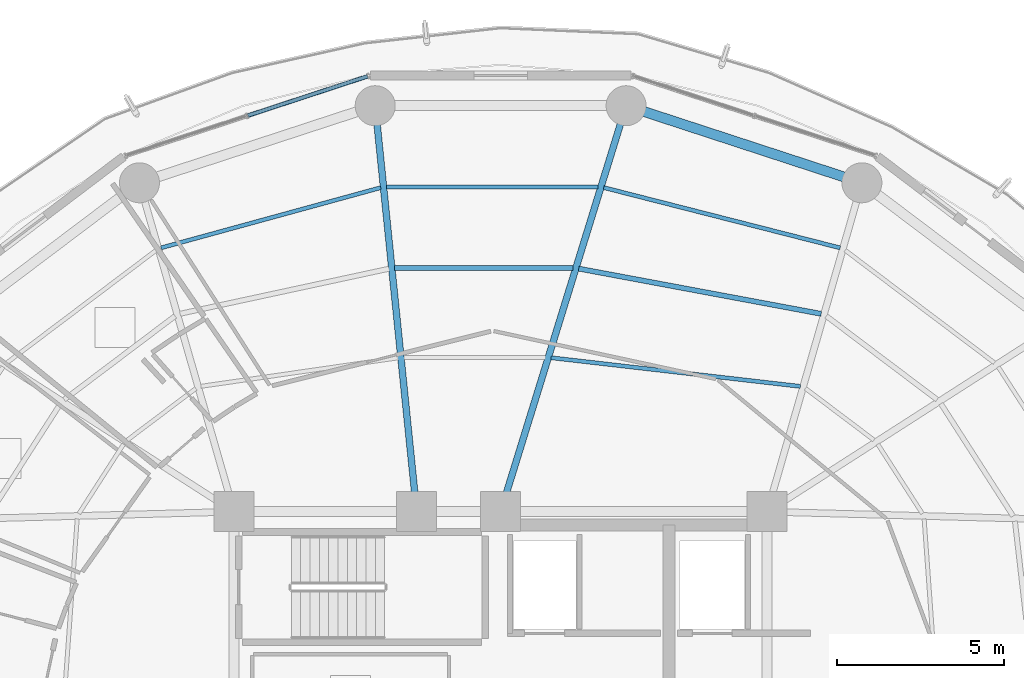
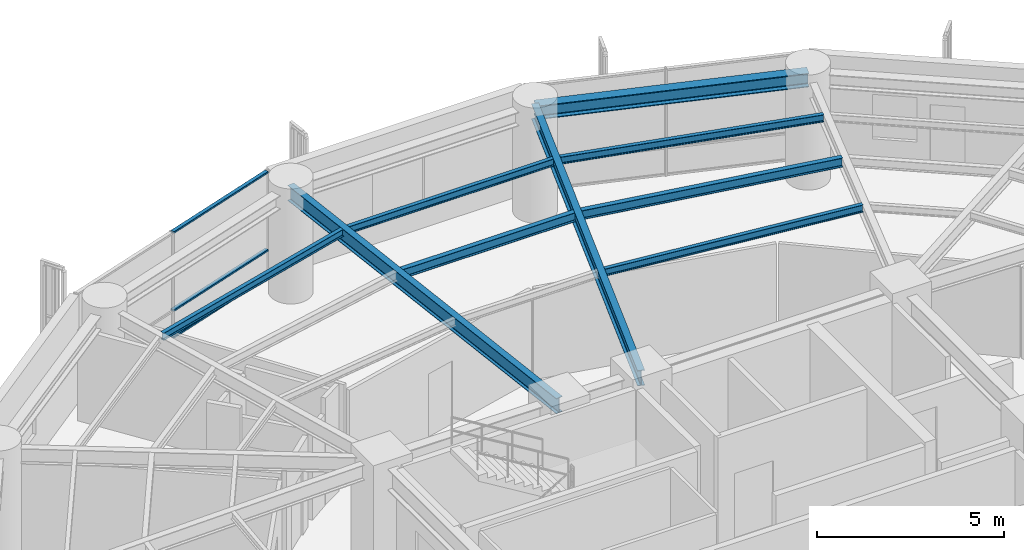
# One storey, part 18 of 28: 9 beams, 3 members, 1 element without a shape of its own.
"""IFC4 building model written with IfcOpenShell, lengths in metres."""

from ifc_helpers import new_model, si_unit, direction, frame, origin, origin_2d, place, context, subcontext, project, spatial, hollow_rectangle, i_section, extrude, material, layer, layer_set, material_profile, profile_set, type_object, element, aggregate, save


model = new_model("IFC4")

# Units and contexts
model_context = context("Model", 3, precision=1e-05, world=origin(), true_north=direction((0.0, 1.0)))
body_context = subcontext(model_context, "Body", "Model", "MODEL_VIEW")
ifc_project = project(units=[si_unit("LENGTHUNIT", "METRE"), si_unit("AREAUNIT", "SQUARE_METRE"), si_unit("VOLUMEUNIT", "CUBIC_METRE"), si_unit("PLANEANGLEUNIT", "RADIAN"), si_unit("MASSUNIT", "GRAM", prefix="KILO")], contexts=[model_context])

# Site, building, storey
site_placement = place(None, origin())
site = spatial("IfcSite", under=ifc_project, at=site_placement, CompositionType="ELEMENT")
building_placement = place(site_placement, origin())
building = spatial("IfcBuilding", under=site, at=building_placement, Name="Kelanora Arch Commons", CompositionType="ELEMENT")
storey_placement = place(building_placement, frame((0.0, 0.0, 158.10009765625)))
storey = spatial("IfcBuildingStorey", under=building, at=storey_placement, Name="L40", CompositionType="ELEMENT", Elevation=158.10009765625)

# Beams
ifc_material_1 = material(Name="Steel S355", Category="steel")
ifc_material_profile_1 = material_profile(ifc_material_1, i_section(OverallWidth=0.14990234375, OverallDepth=0.300048828125, WebThickness=0.007080078125, FlangeThickness=0.0107421875, FilletRadius=0.014892578125, at=origin_2d()), Name="IPE300")
ifc_profile_set_1 = profile_set([ifc_material_profile_1], Name="Steel S355")
beam_type_1 = type_object("IfcBeamType", Name="BM-JST-01", PredefinedType="JOIST", material=ifc_profile_set_1)
beam_1_placement = place(storey_placement, frame((83.620361328125, 70.937744140625, 3.33984375), z_axis=(-0.983054256126, 0.183314837134, 0.0), x_axis=(-0.183314837134, -0.983054256126, 0.0)))
element("IfcBeam", 1, at=beam_1_placement, inside=storey, type_object=beam_type_1, Name="Secondary Chord Joist BJB-06 L40", PredefinedType="JOIST", context=body_context, shape_type="SweptSolid", body=[
    extrude(i_section(OverallWidth=0.14990234375, OverallDepth=0.300048828125, WebThickness=0.007080078125, FlangeThickness=0.0107421875, FilletRadius=0.014892578125, at=origin_2d()), origin(), (0.0, 0.0, 1.0), 7.403564453125),
])
beam_2_placement = place(storey_placement, frame((76.173828125, 72.310546875, 3.33984375), z_axis=(-1.0, 0.0, 0.0), x_axis=(0.0, -1.0, 0.0)))
element("IfcBeam", 2, at=beam_2_placement, inside=storey, type_object=beam_type_1, Name="Secondary Chord Joist BJB-08 L40", PredefinedType="JOIST", context=body_context, shape_type="SweptSolid", body=[
    extrude(i_section(OverallWidth=0.14990234375, OverallDepth=0.300048828125, WebThickness=0.007080078125, FlangeThickness=0.0107421875, FilletRadius=0.014892578125, at=origin_2d()), origin(), (0.0, 0.0, 1.0), 5.355712890625),
])
ifc_material_profile_2 = material_profile(ifc_material_1, i_section(OverallWidth=0.1201171875, OverallDepth=0.239990234375, WebThickness=0.006103515625, FlangeThickness=0.009765625, FilletRadius=0.014892578125, at=origin_2d()), Name="IPE240")
ifc_profile_set_2 = profile_set([ifc_material_profile_2], Name="Steel S355")
beam_type_2 = type_object("IfcBeamType", Name="BM-JST-02", PredefinedType="JOIST", material=ifc_profile_set_2)
beam_3_placement = place(storey_placement, frame((82.994873046875, 68.760498046875, 3.369873046875), z_axis=(-0.993457414184, 0.114203179475, 0.0), x_axis=(-0.114203179475, -0.993457414184, 0.0)))
element("IfcBeam", 3, at=beam_3_placement, inside=storey, type_object=beam_type_2, Name="Secondary Chord Joist BJA-06 L40", PredefinedType="JOIST", context=body_context, shape_type="SweptSolid", body=[
    extrude(i_section(OverallWidth=0.1201171875, OverallDepth=0.239990234375, WebThickness=0.006103515625, FlangeThickness=0.009765625, FilletRadius=0.014892578125, at=origin_2d()), origin(), (0.0, 0.0, 1.0), 7.529296875),
])
beam_4_placement = place(storey_placement, frame((84.189697265625, 72.917236328125, 3.369873046875), z_axis=(-0.96900232943, 0.247051584815, 0.0), x_axis=(-0.247051584815, -0.96900232943, 0.0)))
element("IfcBeam", 4, at=beam_4_placement, inside=storey, type_object=beam_type_2, Name="Secondary Chord Joist BJC-06 L40", PredefinedType="JOIST", context=body_context, shape_type="SweptSolid", body=[
    extrude(i_section(OverallWidth=0.1201171875, OverallDepth=0.239990234375, WebThickness=0.006103515625, FlangeThickness=0.009765625, FilletRadius=0.014892578125, at=origin_2d()), origin(), (0.0, 0.0, 1.0), 7.32275390625),
])
beam_5_placement = place(storey_placement, frame((76.9267578125, 74.747314453125, 3.369873046875), z_axis=(-1.0, 0.0, 0.0), x_axis=(0.0, -1.0, 0.0)))
element("IfcBeam", 5, at=beam_5_placement, inside=storey, type_object=beam_type_2, Name="Secondary Chord Joist BJC-08 L40", PredefinedType="JOIST", context=body_context, shape_type="SweptSolid", body=[
    extrude(i_section(OverallWidth=0.1201171875, OverallDepth=0.239990234375, WebThickness=0.006103515625, FlangeThickness=0.009765625, FilletRadius=0.014892578125, at=origin_2d()), origin(), (0.0, 0.0, 1.0), 6.357666015625),
])
beam_6_placement = place(storey_placement, frame((70.40234375, 74.724853515625, 3.369873046875), z_axis=(-0.964456541131, -0.264241518824, 0.0), x_axis=(0.264241518824, -0.964456541131, 0.0)))
element("IfcBeam", 6, at=beam_6_placement, inside=storey, type_object=beam_type_2, Name="Secondary Chord Joist BJC-10 L40", PredefinedType="JOIST", context=body_context, shape_type="SweptSolid", body=[
    extrude(i_section(OverallWidth=0.1201171875, OverallDepth=0.239990234375, WebThickness=0.006103515625, FlangeThickness=0.009765625, FilletRadius=0.014892578125, at=origin_2d()), origin(), (0.0, 0.0, 1.0), 6.835205078125),
])
ifc_material_profile_3 = material_profile(ifc_material_1, i_section(OverallWidth=0.199951171875, OverallDepth=0.5, WebThickness=0.01025390625, FlangeThickness=0.01611328125, FilletRadius=0.02099609375, at=origin_2d()), Name="IPE500")
ifc_profile_set_3 = profile_set([ifc_material_profile_3], Name="Steel S355")
beam_type_3 = type_object("IfcBeamType", Name="BM-RAD-Z3", PredefinedType="BEAM", material=ifc_profile_set_3)
beam_7_placement = place(storey_placement, frame((74.0, 65.0, 3.239990234375), z_axis=(0.295210315095, 0.955432294755, 0.0), x_axis=(-0.955432294755, 0.295210315095, 0.0)))
element("IfcBeam", 7, at=beam_7_placement, inside=storey, type_object=beam_type_3, Name="Radial Floor Girder BR-08 L40", PredefinedType="BEAM", context=body_context, shape_type="SweptSolid", body=[
    extrude(i_section(OverallWidth=0.199951171875, OverallDepth=0.5, WebThickness=0.01025390625, FlangeThickness=0.01611328125, FilletRadius=0.02099609375, at=origin_2d()), origin(), (0.0, 0.0, 1.0), 12.75244140625),
])
beam_8_placement = place(storey_placement, frame((71.47998046875, 65.0, 3.239990234375), z_axis=(-0.101623200789, 0.994822961668, 0.0), x_axis=(-0.994822961668, -0.101623200789, 0.0)))
element("IfcBeam", 8, at=beam_8_placement, inside=storey, type_object=beam_type_3, Name="Radial Floor Girder BR-10 L40", PredefinedType="BEAM", context=body_context, shape_type="SweptSolid", body=[
    extrude(i_section(OverallWidth=0.199951171875, OverallDepth=0.5, WebThickness=0.01025390625, FlangeThickness=0.01611328125, FilletRadius=0.02099609375, at=origin_2d()), origin(), (0.0, 0.0, 1.0), 12.24755859375),
])
ifc_material_profile_4 = material_profile(ifc_material_1, i_section(OverallWidth=0.300048828125, OverallDepth=0.449951171875, WebThickness=0.013916015625, FlangeThickness=0.02587890625, FilletRadius=0.027099609375, at=origin_2d()), Name="HEB450")
ifc_profile_set_4 = profile_set([ifc_material_profile_4], Name="Steel S355")
beam_type_4 = type_object("IfcBeamType", Name="BM-SPN-Z3", PredefinedType="SPANDREL", material=ifc_profile_set_4)
beam_9_placement = place(storey_placement, frame((84.840087890625, 74.8701171875, 3.264892578125), z_axis=(-0.950461975786, 0.310840847676, 0.0), x_axis=(-0.310840847676, -0.950461975786, 0.0)))
element("IfcBeam", 9, at=beam_9_placement, inside=storey, type_object=beam_type_4, Name="Perimeter Spandrel Beam BS-06 L40", PredefinedType="SPANDREL", context=body_context, shape_type="SweptSolid", body=[
    extrude(i_section(OverallWidth=0.300048828125, OverallDepth=0.449951171875, WebThickness=0.013916015625, FlangeThickness=0.02587890625, FilletRadius=0.027099609375, at=origin_2d()), origin(), (0.0, 0.0, 1.0), 7.444091796875),
])

# Curtain wall, members
ifc_material_2 = material(Name="Terracotta ceramic-fritted low-E glass and aluminium", Category="masonry")
ifc_layer = layer(ifc_material_2, 0.175048828125)
ifc_layer_set = layer_set([ifc_layer], Name="Terracotta ceramic-fritted low-E glass and aluminium")
curtain_wall_type = type_object("IfcCurtainWallType", Name="CW-SYS-02", PredefinedType="NOTDEFINED", material=ifc_layer_set)
curtain_wall_placement = place(storey_placement, origin())
curtain_wall = element("IfcCurtainWall", 10, at=curtain_wall_placement, inside=storey, type_object=curtain_wall_type, Name="Unitised Curtain Wall L40-B05", PredefinedType="NOTDEFINED")
ifc_material_3 = material(Name="Powder-coated aluminium terracotta", Category="masonry")
ifc_material_profile_5 = material_profile(ifc_material_3, hollow_rectangle(XDim=0.1201171875, YDim=0.06005859375, WallThickness=0.0048828125, InnerFilletRadius=0.0048828125, OuterFilletRadius=0.010009765625, at=origin_2d()), Name="CWT120x60")
ifc_profile_set_5 = profile_set([ifc_material_profile_5], Name="Powder-coated aluminium terracotta")
member_type = type_object("IfcMemberType", Name="CWT-STD", PredefinedType="USERDEFINED", material=ifc_profile_set_5)
member_1_placement = place(storey_placement, frame((70.00439453125, 78.066650390625, 0.02978515625), z_axis=(-0.950051191155, -0.312094111104, 0.0), x_axis=(0.312094111104, -0.950051191155, 0.0)))
member_1 = element("IfcMember", 11, at=member_1_placement, type_object=member_type, Name="CW-02 transom 1.1", ObjectType="TRANSOM", PredefinedType="USERDEFINED", context=body_context, shape_type="SweptSolid", body=[
    extrude(hollow_rectangle(XDim=0.1201171875, YDim=0.06005859375, WallThickness=0.0048828125, InnerFilletRadius=0.0048828125, OuterFilletRadius=0.010009765625, at=origin_2d()), origin(), (0.0, 0.0, 1.0), 3.77685546875),
])
member_2_placement = place(storey_placement, frame((70.00439453125, 78.066650390625, 0.89990234375), z_axis=(-0.950051191155, -0.312094111104, 0.0), x_axis=(0.312094111104, -0.950051191155, 0.0)))
member_2 = element("IfcMember", 12, at=member_2_placement, type_object=member_type, Name="CW-02 transom 1.2", ObjectType="TRANSOM", PredefinedType="USERDEFINED", context=body_context, shape_type="SweptSolid", body=[
    extrude(hollow_rectangle(XDim=0.1201171875, YDim=0.06005859375, WallThickness=0.0048828125, InnerFilletRadius=0.0048828125, OuterFilletRadius=0.010009765625, at=origin_2d()), origin(), (0.0, 0.0, 1.0), 3.77685546875),
])
member_3_placement = place(storey_placement, frame((70.00439453125, 78.066650390625, 3.44482421875), z_axis=(-0.950051191155, -0.312094111104, 0.0), x_axis=(0.312094111104, -0.950051191155, 0.0)))
member_3 = element("IfcMember", 13, at=member_3_placement, type_object=member_type, Name="CW-02 transom 1.3", ObjectType="TRANSOM", PredefinedType="USERDEFINED", context=body_context, shape_type="SweptSolid", body=[
    extrude(hollow_rectangle(XDim=0.1201171875, YDim=0.06005859375, WallThickness=0.0048828125, InnerFilletRadius=0.0048828125, OuterFilletRadius=0.010009765625, at=origin_2d()), origin(), (0.0, 0.0, 1.0), 3.77685546875),
])
aggregate(curtain_wall, [member_1, member_2, member_3])

save(model, "model.ifc")
